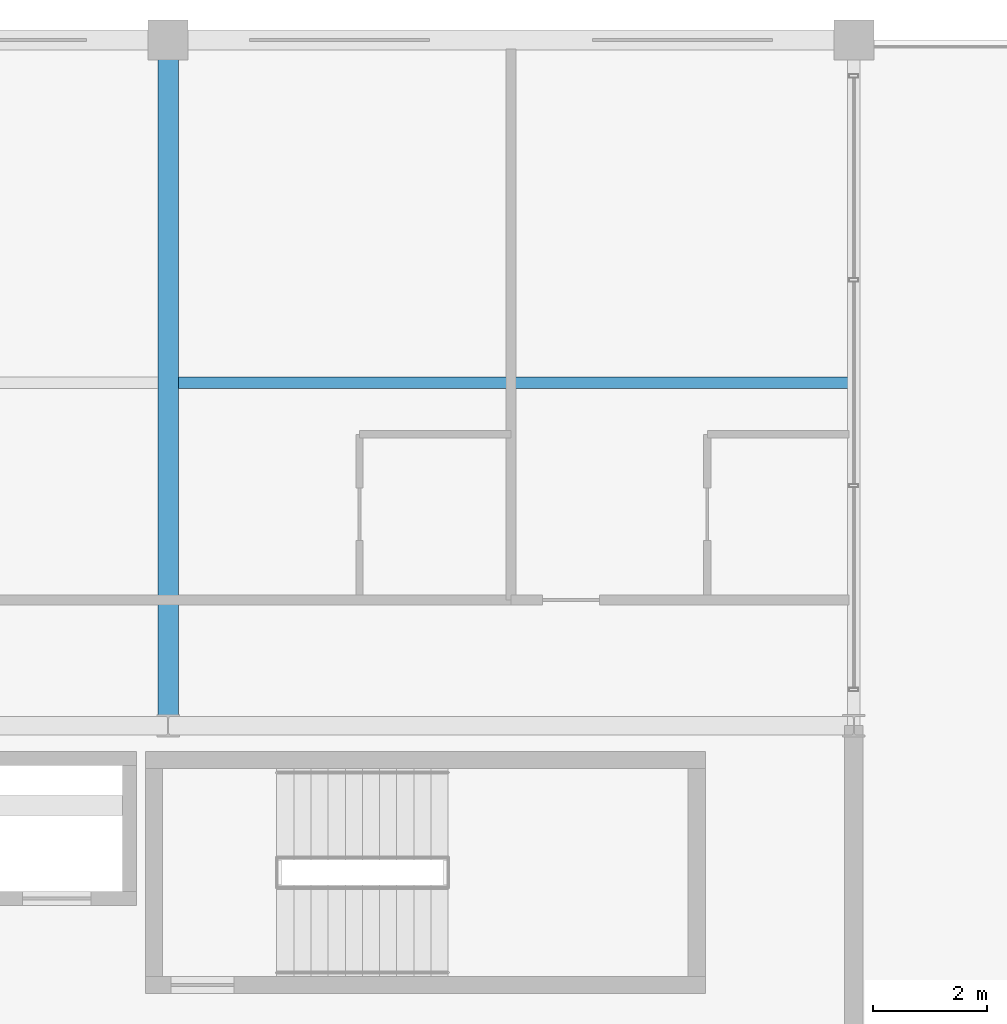
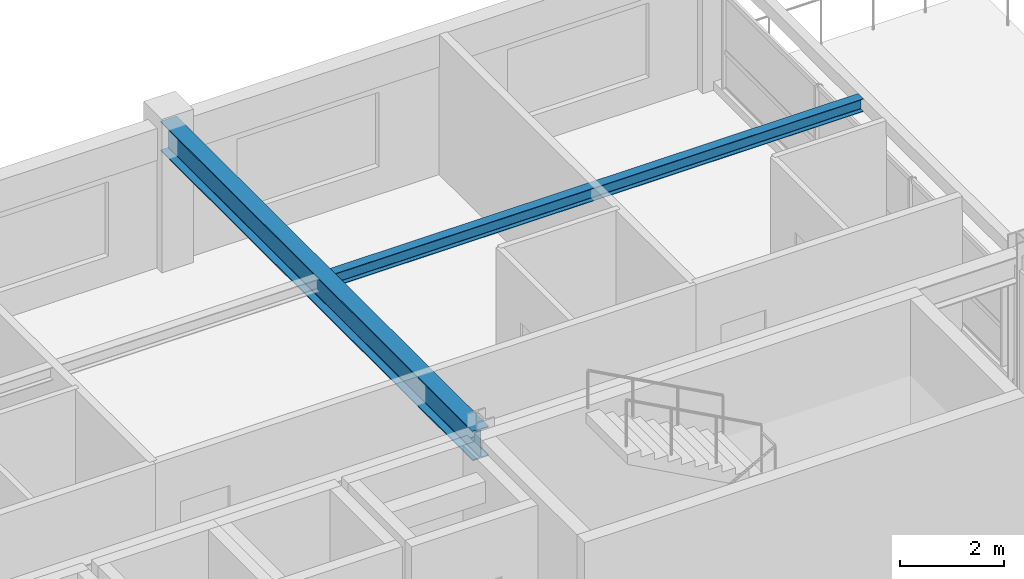
# One storey, part 14 of 24: 2 beams.
"""IFC4 building model written with IfcOpenShell, lengths in metres."""

from ifc_helpers import new_model, si_unit, direction, frame, origin, origin_2d, place, context, subcontext, project, spatial, i_section, extrude, material, material_profile, profile_set, type_object, element, save


model = new_model("IFC4")

# Units and contexts
model_context = context("Model", 3, precision=1e-05, world=origin(), true_north=direction((0.0, 1.0)))
body_context = subcontext(model_context, "Body", "Model", "MODEL_VIEW")
ifc_project = project(units=[si_unit("LENGTHUNIT", "METRE"), si_unit("AREAUNIT", "SQUARE_METRE"), si_unit("VOLUMEUNIT", "CUBIC_METRE"), si_unit("PLANEANGLEUNIT", "RADIAN"), si_unit("MASSUNIT", "GRAM", prefix="KILO")], contexts=[model_context])

# Site, building, storey
site_placement = place(None, origin())
site = spatial("IfcSite", under=ifc_project, at=site_placement, CompositionType="ELEMENT")
building_placement = place(site_placement, origin())
building = spatial("IfcBuilding", under=site, at=building_placement, Name="Kaldorvane Square Convention Centre", CompositionType="ELEMENT")
storey_placement = place(building_placement, frame((0.0, 0.0, 60.0)))
storey = spatial("IfcBuildingStorey", under=building, at=storey_placement, Name="L14", CompositionType="ELEMENT", Elevation=60.0)

# Beams
ifc_material = material(Name="Steel ASTM A992 Gr. 50", Category="steel")
ifc_material_profile_1 = material_profile(ifc_material, i_section(OverallWidth=0.354705810546875, OverallDepth=0.69549560546875, WebThickness=0.0153961181640625, FlangeThickness=0.0251007080078125, FilletRadius=0.01519775390625, at=origin_2d()), Name="W27X146")
ifc_profile_set_1 = profile_set([ifc_material_profile_1], Name="Steel ASTM A992 Gr. 50")
beam_type_1 = type_object("IfcBeamType", Name="BM-GR-W27X146", PredefinedType="BEAM", material=ifc_profile_set_1)
beam_1_placement = place(storey_placement, frame((66.0, 105.0, 2.93829345703125), z_axis=(0.0, 1.0, 0.0), x_axis=(-1.0, 0.0, 0.0)))
element("IfcBeam", 1, at=beam_1_placement, inside=storey, type_object=beam_type_1, Name="Transverse Girder (L14)", PredefinedType="BEAM", context=body_context, shape_type="SweptSolid", body=[
    extrude(i_section(OverallWidth=0.354705810546875, OverallDepth=0.69549560546875, WebThickness=0.0153961181640625, FlangeThickness=0.0251007080078125, FilletRadius=0.01519775390625, at=origin_2d()), origin(), (0.0, 0.0, 1.0), 12.0),
])
ifc_material_profile_2 = material_profile(ifc_material, i_section(OverallWidth=0.2032928466796875, OverallDepth=0.3032989501953125, WebThickness=0.00750732421875, FlangeThickness=0.0131072998046875, FilletRadius=0.01019287109375, at=origin_2d()), Name="W12X40")
ifc_profile_set_2 = profile_set([ifc_material_profile_2], Name="Steel ASTM A992 Gr. 50")
beam_type_2 = type_object("IfcBeamType", Name="BM-JS-W12X40", PredefinedType="JOIST", material=ifc_profile_set_2)
beam_2_placement = place(storey_placement, frame((66.17739868164062, 111.0, 3.1343994140625), z_axis=(1.0, 0.0, 0.0), x_axis=(0.0, 1.0, 0.0)))
element("IfcBeam", 2, at=beam_2_placement, inside=storey, type_object=beam_type_2, Name="Secondary Floor Joist (L14)", PredefinedType="JOIST", context=body_context, shape_type="SweptSolid", body=[
    extrude(i_section(OverallWidth=0.2032928466796875, OverallDepth=0.3032989501953125, WebThickness=0.00750732421875, FlangeThickness=0.0131072998046875, FilletRadius=0.01019287109375, at=origin_2d()), origin(), (0.0, 0.0, 1.0), 11.72100830078125),
])

save(model, "model.ifc")
